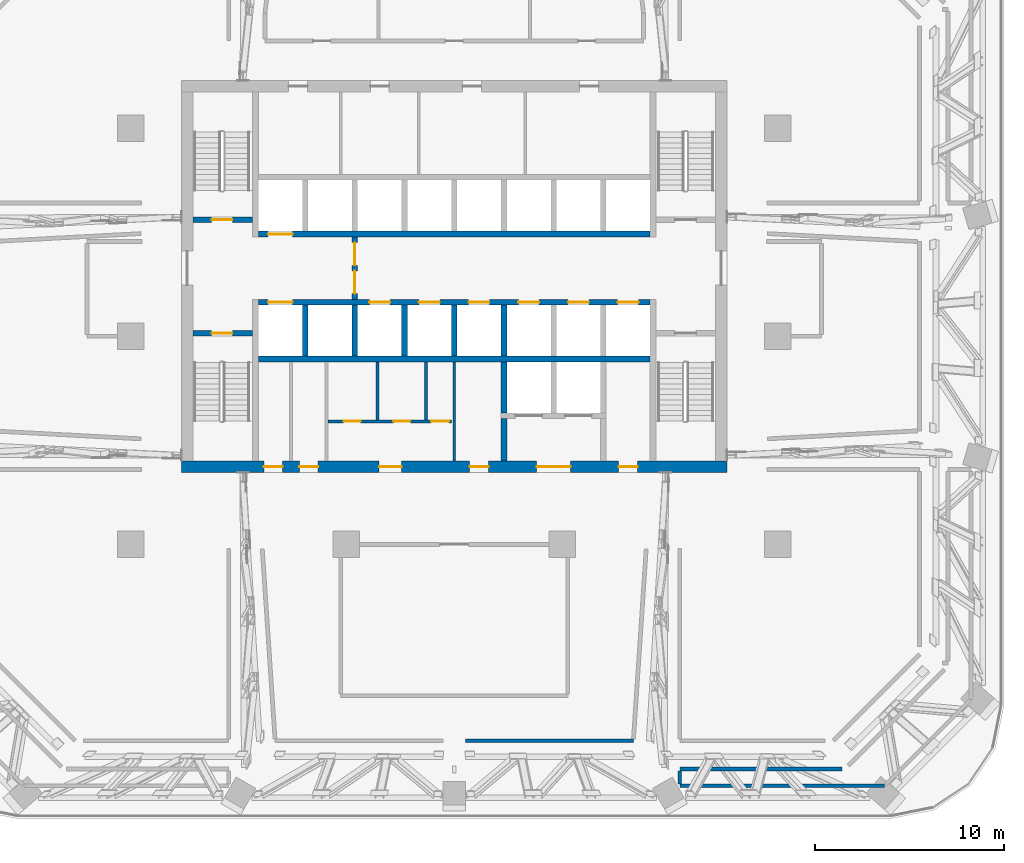
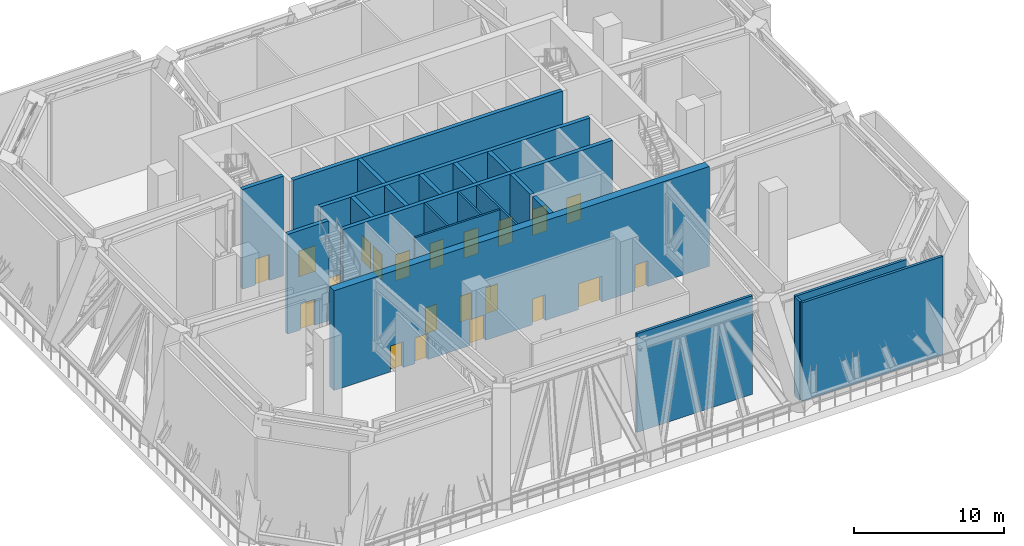
# One storey, part 6 of 24: 22 walls, 21 doors, 21 openings.
"""IFC4 building model written with IfcOpenShell, lengths in metres."""

import ifcopenshell
import ifcopenshell.guid

model = None  # the IFC model being written
_history = None  # IfcOwnerHistory: only IFC2X3 demands one
_inside = {}  # id of a spatial element -> (the spatial element, [elements in it])
_under = {}  # id of a project, library or spatial element -> (it, [spatial elements below it])
_declared = {}  # id of a project -> (the project, [libraries it declares])
_typed = {}  # id of a type object -> (the type object, [elements of that type])
_made_of = {}  # id of a material, layer set ... -> (it, [elements and type objects made of it])


def new_model(schema):
    """Start an empty IFC model of exactly this schema.

    Asked for "IFC4X3", IfcOpenShell would pick the latest addendum, in which some entities
    have other attributes; the version numbers below select the first issue.
    IFC2X3 requires an IfcOwnerHistory on every rooted entity: one is made here for all.
    """
    global model, _history
    if schema == "IFC4X3":
        model = ifcopenshell.file(schema_version=(4, 3, 0, 0))
    else:
        model = ifcopenshell.file(schema=schema)
    _inside.clear()
    _under.clear()
    _declared.clear()
    _typed.clear()
    _made_of.clear()
    _history = None
    if model.schema == "IFC2X3":
        org = make("IfcOrganization", Name="unknown")
        user = make(
            "IfcPersonAndOrganization",
            ThePerson=make("IfcPerson", FamilyName="unknown"),
            TheOrganization=org,
        )
        app = make(
            "IfcApplication",
            ApplicationDeveloper=org,
            Version="unknown",
            ApplicationFullName="unknown",
            ApplicationIdentifier="unknown",
        )
        _history = make(
            "IfcOwnerHistory",
            OwningUser=user,
            OwningApplication=app,
            ChangeAction="ADDED",
            CreationDate=0,
        )
    return model


def make(cls, **values):
    """One entity of the class cls with the attributes given. An attribute that is None is left unset."""
    return model.create_entity(
        cls, **{name: value for name, value in values.items() if value is not None}
    )


def rooted(cls, **values):
    """An entity with a GlobalId (a new one), such as an element, a storey or a relation."""
    return make(cls, GlobalId=ifcopenshell.guid.new(), OwnerHistory=_history, **values)


def si_unit(unit_type, name, prefix=None):
    """IfcSIUnit, for example si_unit("LENGTHUNIT", "METRE", prefix="MILLI")."""
    return make("IfcSIUnit", UnitType=unit_type, Prefix=prefix, Name=name)


def assignment(units):
    """IfcUnitAssignment: the units of a project."""
    return None if units is None else make("IfcUnitAssignment", Units=units)


def point(xyz):
    """IfcCartesianPoint."""
    return None if xyz is None else make("IfcCartesianPoint", Coordinates=xyz)


def direction(xyz):
    """IfcDirection."""
    return None if xyz is None else make("IfcDirection", DirectionRatios=xyz)


def frame(location, z_axis=None, x_axis=None):
    """IfcAxis2Placement3D, a coordinate frame: its origin and axes. An axis left out is left unset."""
    return make(
        "IfcAxis2Placement3D",
        Location=point(location),
        Axis=direction(z_axis),
        RefDirection=direction(x_axis),
    )


def frame_2d(location, x_axis=None):
    """IfcAxis2Placement2D, a coordinate frame in the plane: its origin and x axis."""
    return make(
        "IfcAxis2Placement2D", Location=point(location), RefDirection=direction(x_axis)
    )


def origin():
    """The frame at (0, 0, 0) with its axes left unset."""
    return frame((0.0, 0.0, 0.0))


def place(relative_to, where):
    """IfcLocalPlacement: puts the frame where relative to a parent placement (None: the world)."""
    return make(
        "IfcLocalPlacement", PlacementRelTo=relative_to, RelativePlacement=where
    )


def context(
    kind, dimensions, precision=None, world=None, true_north=None, identifier=None
):
    """IfcGeometricRepresentationContext, for example the 3D "Model" context."""
    return make(
        "IfcGeometricRepresentationContext",
        ContextIdentifier=identifier,
        ContextType=kind,
        CoordinateSpaceDimension=dimensions,
        Precision=precision,
        WorldCoordinateSystem=world,
        TrueNorth=true_north,
    )


def subcontext(parent, identifier, kind, view, scale=None):
    """IfcGeometricRepresentationSubContext, for example "Body" below "Model"."""
    return make(
        "IfcGeometricRepresentationSubContext",
        ContextIdentifier=identifier,
        ContextType=kind,
        ParentContext=parent,
        TargetScale=scale,
        TargetView=view,
    )


def project(units=None, contexts=None):
    """IfcProject with its units and contexts."""
    return rooted(
        "IfcProject",
        Name="project",
        RepresentationContexts=contexts,
        UnitsInContext=assignment(units),
    )


def spatial(cls, under=None, at=None, **own):
    """A site, building, storey or space (cls), placed at a placement, below another one or the project."""
    s = rooted(cls, ObjectPlacement=at, **own)
    if under is not None:
        _under.setdefault(under.id(), (under, []))[1].append(s)
    return s


def profile(cls, at=None, kind="AREA", **sizes):
    """A parametric profile (cls). Its sizes go by their IFC names, for example OverallWidth=200.0."""
    return make(cls, ProfileType=kind, Position=at, **sizes)


def rectangle(**sizes):
    """IfcRectangleProfileDef."""
    return profile("IfcRectangleProfileDef", **sizes)


def extrude(swept, where, along, depth):
    """IfcExtrudedAreaSolid: the profile swept, set in the frame where, extruded along a direction by depth."""
    return make(
        "IfcExtrudedAreaSolid",
        SweptArea=swept,
        Position=where,
        ExtrudedDirection=direction(along),
        Depth=depth,
    )


def shape(context_of_items, identifier, shape_type, items):
    """IfcShapeRepresentation: the items that make up one representation, for example the "Body"."""
    return make(
        "IfcShapeRepresentation",
        ContextOfItems=context_of_items,
        RepresentationIdentifier=identifier,
        RepresentationType=shape_type,
        Items=items,
    )


def material(Name=None, Category=None):
    """IfcMaterial."""
    return make("IfcMaterial", Name=Name, Category=Category)


def layer(
    of_material, thickness, ventilated=None, Name=None, Category=None, Priority=None
):
    """IfcMaterialLayer: one layer of a wall or slab, of a material (None: an air gap)."""
    return make(
        "IfcMaterialLayer",
        Material=of_material,
        LayerThickness=thickness,
        IsVentilated=ventilated,
        Name=Name,
        Category=Category,
        Priority=Priority,
    )


def layer_set(layers, Name=None):
    """IfcMaterialLayerSet."""
    return make("IfcMaterialLayerSet", MaterialLayers=layers, LayerSetName=Name)


def made_of(thing, what):
    """Note that an element or type object is made of a material, layer set ...; save() writes the relation."""
    if what is not None:
        _made_of.setdefault(what.id(), (what, []))[1].append(thing)
    return thing


def type_object(cls, material=None, **own):
    """A type object (cls), such as IfcWallType, which elements share."""
    return made_of(rooted(cls, **own), material)


def element(
    cls,
    number,
    at=None,
    inside=None,
    cuts=None,
    type_object=None,
    material=None,
    context=None,
    identifier="Body",
    shape_type=None,
    held_by="IfcProductDefinitionShape",
    body=None,
    shapes=None,
    **own,
):
    """One element of the class cls, such as IfcWall. Its Tag is "e" and its number.

    at: its placement. inside: the storey or other place that contains it. cuts: it is an
    opening in that element (IfcRelVoidsElement). A single representation is given by context,
    identifier, shape_type and body (its items); several are given by shapes. held_by: the class
    of the entity that holds the representations. save() writes the other relations.
    """
    e = rooted(cls, Tag="e%d" % number, ObjectPlacement=at, **own)
    if body is not None:
        shapes = [shape(context, identifier, shape_type, body)]
    if shapes is not None:
        e.Representation = make(held_by, Representations=shapes)
    if inside is not None:
        _inside.setdefault(inside.id(), (inside, []))[1].append(e)
    if cuts is not None:
        rooted(
            "IfcRelVoidsElement", RelatingBuildingElement=cuts, RelatedOpeningElement=e
        )
    if type_object is not None:
        _typed.setdefault(type_object.id(), (type_object, []))[1].append(e)
    return made_of(e, material)


def fill(opening, filler):
    """IfcRelFillsElement: the door or window that sits in an opening."""
    return rooted(
        "IfcRelFillsElement",
        RelatingOpeningElement=opening,
        RelatedBuildingElement=filler,
    )


def aggregate(whole, parts):
    """IfcRelAggregates: a whole, such as a stair, and the parts it consists of."""
    return rooted("IfcRelAggregates", RelatingObject=whole, RelatedObjects=parts)


def save(model, path):
    """Write the relations noted so far, then the file.

    IfcRelAggregates (storeys below a building ...), IfcRelContainedInSpatialStructure (elements
    in a storey), IfcRelDefinesByType, IfcRelAssociatesMaterial and IfcRelDeclares: one each for
    every whole, place, type object, material and project.
    """
    for whole, parts in _under.values():
        aggregate(whole, parts)
    for where, things in _inside.values():
        rooted(
            "IfcRelContainedInSpatialStructure",
            RelatedElements=things,
            RelatingStructure=where,
        )
    for kind, things in _typed.values():
        rooted("IfcRelDefinesByType", RelatedObjects=things, RelatingType=kind)
    for what, things in _made_of.values():
        rooted("IfcRelAssociatesMaterial", RelatedObjects=things, RelatingMaterial=what)
    for by, libraries in _declared.values():
        rooted("IfcRelDeclares", RelatingContext=by, RelatedDefinitions=libraries)
    model.write(path)


model = new_model("IFC4")

# Units and contexts
model_context = context("Model", 3, precision=1e-05, world=origin(), true_north=direction((0.0, 1.0)))
body_context = subcontext(model_context, "Body", "Model", "MODEL_VIEW")
ifc_project = project(units=[si_unit("LENGTHUNIT", "METRE"), si_unit("AREAUNIT", "SQUARE_METRE"), si_unit("VOLUMEUNIT", "CUBIC_METRE"), si_unit("PLANEANGLEUNIT", "RADIAN"), si_unit("MASSUNIT", "GRAM", prefix="KILO")], contexts=[model_context])

# Site, building, storey
site_placement = place(None, origin())
site = spatial("IfcSite", under=ifc_project, at=site_placement, CompositionType="ELEMENT")
building_placement = place(site_placement, origin())
building = spatial("IfcBuilding", under=site, at=building_placement, Name="Mopane Tessera Tower", CompositionType="ELEMENT")
storey_placement = place(building_placement, frame((0.0, 0.0, 148.60009765625)))
storey = spatial("IfcBuildingStorey", under=building, at=storey_placement, Name="L30", CompositionType="ELEMENT", Elevation=148.60009765625)

# Wall, openings, doors
ifc_material_1 = material(Name="Fire-rated gypsum board partition")
ifc_layer_1 = layer(ifc_material_1, 0.14990234375)
ifc_layer_set_1 = layer_set([ifc_layer_1], Name="Fire-rated gypsum board partition")
wall_type_1 = type_object("IfcWallType", Name="Core room partition 150 mm", PredefinedType="PARTITIONING", material=ifc_layer_set_1)
wall_1_placement = place(storey_placement, frame((-6.675048828125, -4.5, 0.0), z_axis=(0.0, 0.0, 1.0), x_axis=(1.0, 0.0, 0.0)))
wall_1 = element("IfcWall", 1, at=wall_1_placement, inside=storey, type_object=wall_type_1, Name="L30 WC partition", PredefinedType="PARTITIONING", context=body_context, shape_type="SweptSolid", body=[
    extrude(rectangle(XDim=6.525146484375, YDim=0.14990234375, at=frame_2d((3.2626953125, 0.0))), origin(), (0.0, 0.0, 1.0), 8.099853515625),
])
opening_1_placement = place(wall_1_placement, frame((0.824951171875, 0.0, 0.0)))
opening_1 = element("IfcOpeningElement", 2, at=opening_1_placement, cuts=wall_1, Name="Opening WD1", PredefinedType="OPENING", context=body_context, shape_type="SweptSolid", body=[
    extrude(rectangle(XDim=0.89990234375, YDim=2.10009765625, at=frame_2d((0.449951171875, 1.050048828125))), frame((0.0, 0.0869140625, 0.0), z_axis=(0.0, -1.0, 0.0), x_axis=(1.0, 0.0, 0.0)), (0.0, 0.0, 1.0), 0.173828125),
])
opening_2_placement = place(wall_1_placement, frame((3.45751953125, 0.0, 0.0)))
opening_2 = element("IfcOpeningElement", 3, at=opening_2_placement, cuts=wall_1, Name="Opening WD1", PredefinedType="OPENING", context=body_context, shape_type="SweptSolid", body=[
    extrude(rectangle(XDim=0.89990234375, YDim=2.10009765625, at=frame_2d((0.449951171875, 1.050048828125))), frame((0.0, 0.0869140625, 0.0), z_axis=(0.0, -1.0, 0.0), x_axis=(1.0, 0.0, 0.0)), (0.0, 0.0, 1.0), 0.173828125),
])
opening_3_placement = place(wall_1_placement, frame((5.45751953125, 0.0, 0.0)))
opening_3 = element("IfcOpeningElement", 4, at=opening_3_placement, cuts=wall_1, Name="Opening WD2", PredefinedType="OPENING", context=body_context, shape_type="SweptSolid", body=[
    extrude(rectangle(XDim=0.949951171875, YDim=2.10009765625, at=frame_2d((0.47509765625, 1.050048828125))), frame((0.0, 0.0869140625, 0.0), z_axis=(0.0, -1.0, 0.0), x_axis=(1.0, 0.0, 0.0)), (0.0, 0.0, 1.0), 0.173828125),
])
ifc_material_2 = material(Name="Timber door", Category="wood")
door_type_1 = type_object("IfcDoorType", Name="Accessible WC door 950 x 2100", OperationType="SINGLE_SWING_LEFT", PredefinedType="DOOR", material=ifc_material_2)
door_1_placement = place(opening_3_placement, origin())
door_1 = element("IfcDoor", 5, at=door_1_placement, inside=storey, type_object=door_type_1, Name="L30 Accessible WC door", OperationType="SINGLE_SWING_LEFT", OverallHeight=2.10009765625, OverallWidth=0.949951171875, PredefinedType="DOOR", context=body_context, shape_type="SweptSolid", body=[
    extrude(rectangle(XDim=0.949951171875, YDim=2.10009765625, at=frame_2d((0.47509765625, 1.050048828125))), frame((0.0, 0.02490234375, 0.0), z_axis=(0.0, -1.0, 0.0), x_axis=(1.0, 0.0, 0.0)), (0.0, 0.0, 1.0), 0.050048828125),
])
fill(opening_3, door_1)
ifc_material_3 = material(Name="Timber door", Category="wood")
door_type_2 = type_object("IfcDoorType", Name="WC cubicle door 900 x 2100", OperationType="SINGLE_SWING_LEFT", PredefinedType="DOOR", material=ifc_material_3)
door_2_placement = place(opening_1_placement, origin())
door_2 = element("IfcDoor", 6, at=door_2_placement, inside=storey, type_object=door_type_2, Name="L30 Men's WC door", OperationType="SINGLE_SWING_LEFT", OverallHeight=2.10009765625, OverallWidth=0.89990234375, PredefinedType="DOOR", context=body_context, shape_type="SweptSolid", body=[
    extrude(rectangle(XDim=0.89990234375, YDim=2.10009765625, at=frame_2d((0.449951171875, 1.050048828125))), frame((0.0, 0.02490234375, 0.0), z_axis=(0.0, -1.0, 0.0), x_axis=(1.0, 0.0, 0.0)), (0.0, 0.0, 1.0), 0.050048828125),
])
fill(opening_1, door_2)
door_3_placement = place(opening_2_placement, origin())
door_3 = element("IfcDoor", 7, at=door_3_placement, inside=storey, type_object=door_type_2, Name="L30 Women's WC door", OperationType="SINGLE_SWING_LEFT", OverallHeight=2.10009765625, OverallWidth=0.89990234375, PredefinedType="DOOR", context=body_context, shape_type="SweptSolid", body=[
    extrude(rectangle(XDim=0.89990234375, YDim=2.10009765625, at=frame_2d((0.449951171875, 1.050048828125))), frame((0.0, 0.02490234375, 0.0), z_axis=(0.0, -1.0, 0.0), x_axis=(1.0, 0.0, 0.0)), (0.0, 0.0, 1.0), 0.050048828125),
])
fill(opening_2, door_3)

# Walls
for number, where, z_axis, x_axis, name in (
    (8, (-4.050048828125, -4.425048828125, 0.0), (0.0, 0.0, 1.0), (0.0, 1.0, 0.0), "L30 WC partition"),
    (9, (-1.485107421875, -4.425048828125, 0.0), (0.0, 0.0, 1.0), (0.0, 1.0, 0.0), "L30 WC partition"),
):
    element("IfcWall", number, at=place(storey_placement, frame(where, z_axis=z_axis, x_axis=x_axis)), inside=storey, type_object=wall_type_1, Name=name, PredefinedType="PARTITIONING", context=body_context, shape_type="SweptSolid", body=[
        extrude(rectangle(XDim=3.074951171875, YDim=0.14990234375, at=frame_2d((1.53759765625, 0.0))), origin(), (0.0, 0.0, 1.0), 8.099853515625),
    ])
wall_2_placement = place(storey_placement, frame((0.0, -6.60009765625, 0.0), z_axis=(0.0, 0.0, 1.0), x_axis=(0.0, 1.0, 0.0)))
element("IfcWall", 10, at=wall_2_placement, inside=storey, type_object=wall_type_1, Name="L30 Room partition", PredefinedType="PARTITIONING", context=body_context, shape_type="SweptSolid", body=[
    extrude(rectangle(XDim=5.25, YDim=0.14990234375, at=frame_2d((2.625, 0.0))), origin(), (0.0, 0.0, 1.0), 8.099853515625),
])

# Wall, openings, doors
ifc_material_4 = material(Name="Concrete C70/85", Category="concrete")
ifc_layer_2 = layer(ifc_material_4, 0.60009765625)
ifc_layer_set_2 = layer_set([ifc_layer_2], Name="Concrete C70/85")
wall_type_2 = type_object("IfcWallType", Name="Core shear wall 600 mm", PredefinedType="SHEAR", material=ifc_layer_set_2)
wall_3_placement = place(storey_placement, frame((-14.39990234375, -6.89990234375, 0.0), z_axis=(0.0, 0.0, 1.0), x_axis=(1.0, 0.0, 0.0)))
wall_3 = element("IfcWall", 11, at=wall_3_placement, inside=storey, type_object=wall_type_2, Name="L30 Core wall south", PredefinedType="SHEAR", context=body_context, shape_type="SweptSolid", body=[
    extrude(rectangle(XDim=28.7998046875, YDim=0.60009765625, at=frame_2d((14.39990234375, 0.0))), origin(), (0.0, 0.0, 1.0), 8.099853515625),
])
opening_4_placement = place(wall_3_placement, frame((4.33740234375, 0.0, 0.0)))
opening_4 = element("IfcOpeningElement", 12, at=opening_4_placement, cuts=wall_3, Name="Opening RD1", PredefinedType="OPENING", context=body_context, shape_type="SweptSolid", body=[
    extrude(rectangle(XDim=1.0, YDim=2.10009765625, at=frame_2d((0.5, 1.050048828125))), frame((0.0, 0.31201171875, 0.0), z_axis=(0.0, -1.0, 0.0), x_axis=(1.0, 0.0, 0.0)), (0.0, 0.0, 1.0), 0.6240234375),
])
opening_5_placement = place(wall_3_placement, frame((6.21240234375, 0.0, 0.0)))
opening_5 = element("IfcOpeningElement", 13, at=opening_5_placement, cuts=wall_3, Name="Opening RD1", PredefinedType="OPENING", context=body_context, shape_type="SweptSolid", body=[
    extrude(rectangle(XDim=1.0, YDim=2.10009765625, at=frame_2d((0.5, 1.050048828125))), frame((0.0, 0.31201171875, 0.0), z_axis=(0.0, -1.0, 0.0), x_axis=(1.0, 0.0, 0.0)), (0.0, 0.0, 1.0), 0.6240234375),
])
opening_6_placement = place(wall_3_placement, frame((10.425048828125, 0.0, 0.0)))
opening_6 = element("IfcOpeningElement", 14, at=opening_6_placement, cuts=wall_3, Name="Opening WD3", PredefinedType="OPENING", context=body_context, shape_type="SweptSolid", body=[
    extrude(rectangle(XDim=1.199951171875, YDim=2.10009765625, at=frame_2d((0.60009765625, 1.050048828125))), frame((0.0, 0.31201171875, 0.0), z_axis=(0.0, -1.0, 0.0), x_axis=(1.0, 0.0, 0.0)), (0.0, 0.0, 1.0), 0.6240234375),
])
opening_7_placement = place(wall_3_placement, frame((15.21240234375, 0.0, 0.0)))
opening_7 = element("IfcOpeningElement", 15, at=opening_7_placement, cuts=wall_3, Name="Opening RD1", PredefinedType="OPENING", context=body_context, shape_type="SweptSolid", body=[
    extrude(rectangle(XDim=1.0, YDim=2.10009765625, at=frame_2d((0.5, 1.050048828125))), frame((0.0, 0.31201171875, 0.0), z_axis=(0.0, -1.0, 0.0), x_axis=(1.0, 0.0, 0.0)), (0.0, 0.0, 1.0), 0.6240234375),
])
opening_8_placement = place(wall_3_placement, frame((18.75, 0.0, 0.0)))
opening_8 = element("IfcOpeningElement", 16, at=opening_8_placement, cuts=wall_3, Name="Opening SD2", PredefinedType="OPENING", context=body_context, shape_type="SweptSolid", body=[
    extrude(rectangle(XDim=1.800048828125, YDim=2.10009765625, at=frame_2d((0.89990234375, 1.050048828125))), frame((0.0, 0.31201171875, 0.0), z_axis=(0.0, -1.0, 0.0), x_axis=(1.0, 0.0, 0.0)), (0.0, 0.0, 1.0), 0.6240234375),
])
opening_9_placement = place(wall_3_placement, frame((23.08740234375, 0.0, 0.0)))
opening_9 = element("IfcOpeningElement", 17, at=opening_9_placement, cuts=wall_3, Name="Opening RD1", PredefinedType="OPENING", context=body_context, shape_type="SweptSolid", body=[
    extrude(rectangle(XDim=1.0, YDim=2.10009765625, at=frame_2d((0.5, 1.050048828125))), frame((0.0, 0.31201171875, 0.0), z_axis=(0.0, -1.0, 0.0), x_axis=(1.0, 0.0, 0.0)), (0.0, 0.0, 1.0), 0.6240234375),
])
ifc_material_5 = material(Name="Steel fire door", Category="steel")
door_type_3 = type_object("IfcDoorType", Name="Core entrance double door 1800 x 2100", OperationType="DOUBLE_DOOR_SINGLE_SWING", PredefinedType="DOOR", material=ifc_material_5)
door_4_placement = place(opening_8_placement, origin())
door_4 = element("IfcDoor", 18, at=door_4_placement, inside=storey, type_object=door_type_3, Name="L30 Service lobby door", OperationType="DOUBLE_DOOR_SINGLE_SWING", OverallHeight=2.10009765625, OverallWidth=1.800048828125, PredefinedType="DOOR", context=body_context, shape_type="SweptSolid", body=[
    extrude(rectangle(XDim=1.800048828125, YDim=2.10009765625, at=frame_2d((0.89990234375, 1.050048828125))), frame((0.0, 0.02490234375, 0.0), z_axis=(0.0, -1.0, 0.0), x_axis=(1.0, 0.0, 0.0)), (0.0, 0.0, 1.0), 0.050048828125),
])
fill(opening_8, door_4)
ifc_material_6 = material(Name="Timber door", Category="wood")
door_type_4 = type_object("IfcDoorType", Name="Core room door 1000 x 2100", OperationType="SINGLE_SWING_LEFT", PredefinedType="DOOR", material=ifc_material_6)
door_5_placement = place(opening_4_placement, origin())
door_5 = element("IfcDoor", 19, at=door_5_placement, inside=storey, type_object=door_type_4, Name="L30 Room door", OperationType="SINGLE_SWING_LEFT", OverallHeight=2.10009765625, OverallWidth=1.0, PredefinedType="DOOR", context=body_context, shape_type="SweptSolid", body=[
    extrude(rectangle(XDim=1.0, YDim=2.10009765625, at=frame_2d((0.5, 1.050048828125))), frame((0.0, 0.02490234375, 0.0), z_axis=(0.0, -1.0, 0.0), x_axis=(1.0, 0.0, 0.0)), (0.0, 0.0, 1.0), 0.050048828125),
])
fill(opening_4, door_5)
door_6_placement = place(opening_5_placement, origin())
door_6 = element("IfcDoor", 20, at=door_6_placement, inside=storey, type_object=door_type_4, Name="L30 Room door", OperationType="SINGLE_SWING_LEFT", OverallHeight=2.10009765625, OverallWidth=1.0, PredefinedType="DOOR", context=body_context, shape_type="SweptSolid", body=[
    extrude(rectangle(XDim=1.0, YDim=2.10009765625, at=frame_2d((0.5, 1.050048828125))), frame((0.0, 0.02490234375, 0.0), z_axis=(0.0, -1.0, 0.0), x_axis=(1.0, 0.0, 0.0)), (0.0, 0.0, 1.0), 0.050048828125),
])
fill(opening_5, door_6)
door_7_placement = place(opening_7_placement, origin())
door_7 = element("IfcDoor", 21, at=door_7_placement, inside=storey, type_object=door_type_4, Name="L30 Room door", OperationType="SINGLE_SWING_LEFT", OverallHeight=2.10009765625, OverallWidth=1.0, PredefinedType="DOOR", context=body_context, shape_type="SweptSolid", body=[
    extrude(rectangle(XDim=1.0, YDim=2.10009765625, at=frame_2d((0.5, 1.050048828125))), frame((0.0, 0.02490234375, 0.0), z_axis=(0.0, -1.0, 0.0), x_axis=(1.0, 0.0, 0.0)), (0.0, 0.0, 1.0), 0.050048828125),
])
fill(opening_7, door_7)
door_8_placement = place(opening_9_placement, origin())
door_8 = element("IfcDoor", 22, at=door_8_placement, inside=storey, type_object=door_type_4, Name="L30 Room door", OperationType="SINGLE_SWING_LEFT", OverallHeight=2.10009765625, OverallWidth=1.0, PredefinedType="DOOR", context=body_context, shape_type="SweptSolid", body=[
    extrude(rectangle(XDim=1.0, YDim=2.10009765625, at=frame_2d((0.5, 1.050048828125))), frame((0.0, 0.02490234375, 0.0), z_axis=(0.0, -1.0, 0.0), x_axis=(1.0, 0.0, 0.0)), (0.0, 0.0, 1.0), 0.050048828125),
])
fill(opening_9, door_8)
ifc_material_7 = material(Name="Timber door", Category="wood")
door_type_5 = type_object("IfcDoorType", Name="WC lobby door 1200 x 2100", OperationType="SINGLE_SWING_LEFT", PredefinedType="DOOR", material=ifc_material_7)
door_9_placement = place(opening_6_placement, origin())
door_9 = element("IfcDoor", 23, at=door_9_placement, inside=storey, type_object=door_type_5, Name="L30 WC lobby door", OperationType="SINGLE_SWING_LEFT", OverallHeight=2.10009765625, OverallWidth=1.199951171875, PredefinedType="DOOR", context=body_context, shape_type="SweptSolid", body=[
    extrude(rectangle(XDim=1.199951171875, YDim=2.10009765625, at=frame_2d((0.60009765625, 1.050048828125))), frame((0.0, 0.02490234375, 0.0), z_axis=(0.0, -1.0, 0.0), x_axis=(1.0, 0.0, 0.0)), (0.0, 0.0, 1.0), 0.050048828125),
])
fill(opening_6, door_9)

# Walls
ifc_material_8 = material(Name="Gypsum board on steel studs, two layers each face, mineral wool infill", Category="steel")
ifc_layer_3 = layer(ifc_material_8, 0.199951171875)
ifc_layer_set_3 = layer_set([ifc_layer_3], Name="Gypsum board on steel studs, two layers each face, mineral wool infill")
wall_type_3 = type_object("IfcWallType", Name="Gypsum board corridor wall 200, rated EI 60", PredefinedType="PARTITIONING", material=ifc_layer_set_3)
wall_4_placement = place(storey_placement, frame((11.919921875, -23.75, 0.0), z_axis=(0.0, 0.0, 1.0), x_axis=(1.0, 0.0, 0.0)))
element("IfcWall", 24, at=wall_4_placement, inside=storey, type_object=wall_type_3, Name="Partition L30:001", PredefinedType="PARTITIONING", context=body_context, shape_type="SweptSolid", body=[
    extrude(rectangle(XDim=10.820068359375, YDim=0.199951171875, at=frame_2d((5.41015625, 0.0))), origin(), (0.0, 0.0, 1.0), 8.0),
])
wall_5_placement = place(storey_placement, frame((11.919921875, -22.8701171875, 0.0), z_axis=(0.0, 0.0, 1.0), x_axis=(1.0, 0.0, 0.0)))
element("IfcWall", 25, at=wall_5_placement, inside=storey, type_object=wall_type_3, Name="Partition L30:003", PredefinedType="PARTITIONING", context=body_context, shape_type="SweptSolid", body=[
    extrude(rectangle(XDim=8.565185546875, YDim=0.199951171875, at=frame_2d((4.28271484375, 0.0))), origin(), (0.0, 0.0, 1.0), 8.0),
])
wall_6_placement = place(storey_placement, frame((0.60009765625, -21.3701171875, 0.0), z_axis=(0.0, 0.0, 1.0), x_axis=(1.0, 0.0, 0.0)))
element("IfcWall", 26, at=wall_6_placement, inside=storey, type_object=wall_type_3, Name="Partition L30:006", PredefinedType="PARTITIONING", context=body_context, shape_type="SweptSolid", body=[
    extrude(rectangle(XDim=8.864990234375, YDim=0.199951171875, at=frame_2d((4.4326171875, 0.0))), origin(), (0.0, 0.0, 1.0), 8.0),
])
wall_7_placement = place(storey_placement, frame((11.919921875, -23.64990234375, 0.0), z_axis=(0.0, 0.0, 1.0), x_axis=(0.0, 1.0, 0.0)))
element("IfcWall", 27, at=wall_7_placement, inside=storey, type_object=wall_type_3, Name="Partition L30:054", PredefinedType="PARTITIONING", context=body_context, shape_type="SweptSolid", body=[
    extrude(rectangle(XDim=0.679931640625, YDim=0.199951171875, at=frame_2d((0.33984375, 0.0))), origin(), (0.0, 0.0, 1.0), 8.0),
])

# Wall, opening, door
ifc_material_9 = material(Name="Concrete C50/60", Category="concrete")
ifc_layer_4 = layer(ifc_material_9, 0.300048828125)
ifc_layer_set_4 = layer_set([ifc_layer_4], Name="Concrete C50/60")
wall_type_4 = type_object("IfcWallType", Name="Lift and stair shaft wall 300 mm", PredefinedType="SOLIDWALL", material=ifc_layer_set_4)
wall_8_placement = place(storey_placement, frame((-13.800048828125, 0.14990234375, 0.0), z_axis=(0.0, 0.0, 1.0), x_axis=(1.0, 0.0, 0.0)))
wall_8 = element("IfcWall", 28, at=wall_8_placement, inside=storey, type_object=wall_type_4, Name="L30 Stair enclosure wall", PredefinedType="SOLIDWALL", context=body_context, shape_type="SweptSolid", body=[
    extrude(rectangle(XDim=3.150146484375, YDim=0.300048828125, at=frame_2d((1.5751953125, 0.0))), origin(), (0.0, 0.0, 1.0), 8.099853515625),
])
opening_10_placement = place(wall_8_placement, frame((0.97509765625, 0.0, 0.0)))
opening_10 = element("IfcOpeningElement", 29, at=opening_10_placement, cuts=wall_8, Name="Opening SD1", PredefinedType="OPENING", context=body_context, shape_type="SweptSolid", body=[
    extrude(rectangle(XDim=1.10009765625, YDim=2.10009765625, at=frame_2d((0.550048828125, 1.050048828125))), frame((0.0, 0.162109375, 0.0), z_axis=(0.0, -1.0, 0.0), x_axis=(1.0, 0.0, 0.0)), (0.0, 0.0, 1.0), 0.323974609375),
])
ifc_material_10 = material(Name="Steel fire door", Category="steel")
door_type_6 = type_object("IfcDoorType", Name="Stair fire door 1100 x 2100", OperationType="SINGLE_SWING_LEFT", PredefinedType="DOOR", material=ifc_material_10)
door_10_placement = place(opening_10_placement, origin())
door_10 = element("IfcDoor", 30, at=door_10_placement, inside=storey, type_object=door_type_6, Name="L30 Stair door ST1", OperationType="SINGLE_SWING_LEFT", OverallHeight=2.10009765625, OverallWidth=1.10009765625, PredefinedType="DOOR", context=body_context, shape_type="SweptSolid", body=[
    extrude(rectangle(XDim=1.10009765625, YDim=2.10009765625, at=frame_2d((0.550048828125, 1.050048828125))), frame((0.0, 0.02490234375, 0.0), z_axis=(0.0, -1.0, 0.0), x_axis=(1.0, 0.0, 0.0)), (0.0, 0.0, 1.0), 0.050048828125),
])
fill(opening_10, door_10)

wall_9_placement = place(storey_placement, frame((-13.800048828125, 6.14990234375, 0.0), z_axis=(0.0, 0.0, 1.0), x_axis=(1.0, 0.0, 0.0)))
wall_9 = element("IfcWall", 31, at=wall_9_placement, inside=storey, type_object=wall_type_4, Name="L30 Stair enclosure wall", PredefinedType="SOLIDWALL", context=body_context, shape_type="SweptSolid", body=[
    extrude(rectangle(XDim=3.150146484375, YDim=0.300048828125, at=frame_2d((1.5751953125, 0.0))), origin(), (0.0, 0.0, 1.0), 8.099853515625),
])
opening_11_placement = place(wall_9_placement, frame((0.97509765625, 0.0, 0.0)))
opening_11 = element("IfcOpeningElement", 32, at=opening_11_placement, cuts=wall_9, Name="Opening SD1", PredefinedType="OPENING", context=body_context, shape_type="SweptSolid", body=[
    extrude(rectangle(XDim=1.10009765625, YDim=2.10009765625, at=frame_2d((0.550048828125, 1.050048828125))), frame((0.0, 0.162109375, 0.0), z_axis=(0.0, -1.0, 0.0), x_axis=(1.0, 0.0, 0.0)), (0.0, 0.0, 1.0), 0.323974609375),
])
door_11_placement = place(opening_11_placement, origin())
door_11 = element("IfcDoor", 33, at=door_11_placement, inside=storey, type_object=door_type_6, Name="L30 Stair door ST2", OperationType="SINGLE_SWING_LEFT", OverallHeight=2.10009765625, OverallWidth=1.10009765625, PredefinedType="DOOR", context=body_context, shape_type="SweptSolid", body=[
    extrude(rectangle(XDim=1.10009765625, YDim=2.10009765625, at=frame_2d((0.550048828125, 1.050048828125))), frame((0.0, 0.02490234375, 0.0), z_axis=(0.0, -1.0, 0.0), x_axis=(1.0, 0.0, 0.0)), (0.0, 0.0, 1.0), 0.050048828125),
])
fill(opening_11, door_11)

# Wall
wall_10_placement = place(storey_placement, frame((-10.35009765625, -1.199951171875, 0.0), z_axis=(0.0, 0.0, 1.0), x_axis=(1.0, 0.0, 0.0)))
element("IfcWall", 34, at=wall_10_placement, inside=storey, type_object=wall_type_4, Name="L30 Lift shaft rear wall", PredefinedType="SOLIDWALL", context=body_context, shape_type="SweptSolid", body=[
    extrude(rectangle(XDim=20.7001953125, YDim=0.300048828125, at=frame_2d((10.35009765625, 0.0))), origin(), (0.0, 0.0, 1.0), 8.099853515625),
])

# Wall, openings, doors
wall_11_placement = place(storey_placement, frame((-10.35009765625, 1.800048828125, 0.0), z_axis=(0.0, 0.0, 1.0), x_axis=(1.0, 0.0, 0.0)))
wall_11 = element("IfcWall", 35, at=wall_11_placement, inside=storey, type_object=wall_type_4, Name="L30 Lift shaft front wall", PredefinedType="SOLIDWALL", context=body_context, shape_type="SweptSolid", body=[
    extrude(rectangle(XDim=20.7001953125, YDim=0.300048828125, at=frame_2d((10.35009765625, 0.0))), origin(), (0.0, 0.0, 1.0), 8.099853515625),
])
opening_12_placement = place(wall_11_placement, frame((0.512451171875, 0.0, 0.0)))
opening_12 = element("IfcOpeningElement", 36, at=opening_12_placement, cuts=wall_11, Name="Opening LD2", PredefinedType="OPENING", context=body_context, shape_type="SweptSolid", body=[
    extrude(rectangle(XDim=1.300048828125, YDim=2.10009765625, at=frame_2d((0.64990234375, 1.050048828125))), frame((0.0, 0.162109375, 0.0), z_axis=(0.0, -1.0, 0.0), x_axis=(1.0, 0.0, 0.0)), (0.0, 0.0, 1.0), 0.323974609375),
])
opening_13_placement = place(wall_11_placement, frame((5.862548828125, 0.0, 0.0)))
opening_13 = element("IfcOpeningElement", 37, at=opening_13_placement, cuts=wall_11, Name="Opening LD", PredefinedType="OPENING", context=body_context, shape_type="SweptSolid", body=[
    extrude(rectangle(XDim=1.10009765625, YDim=2.10009765625, at=frame_2d((0.550048828125, 1.050048828125))), frame((0.0, 0.162109375, 0.0), z_axis=(0.0, -1.0, 0.0), x_axis=(1.0, 0.0, 0.0)), (0.0, 0.0, 1.0), 0.323974609375),
])
opening_14_placement = place(wall_11_placement, frame((8.487548828125, 0.0, 0.0)))
opening_14 = element("IfcOpeningElement", 38, at=opening_14_placement, cuts=wall_11, Name="Opening LD", PredefinedType="OPENING", context=body_context, shape_type="SweptSolid", body=[
    extrude(rectangle(XDim=1.10009765625, YDim=2.10009765625, at=frame_2d((0.550048828125, 1.050048828125))), frame((0.0, 0.162109375, 0.0), z_axis=(0.0, -1.0, 0.0), x_axis=(1.0, 0.0, 0.0)), (0.0, 0.0, 1.0), 0.323974609375),
])
opening_15_placement = place(wall_11_placement, frame((11.112548828125, 0.0, 0.0)))
opening_15 = element("IfcOpeningElement", 39, at=opening_15_placement, cuts=wall_11, Name="Opening LD", PredefinedType="OPENING", context=body_context, shape_type="SweptSolid", body=[
    extrude(rectangle(XDim=1.10009765625, YDim=2.10009765625, at=frame_2d((0.550048828125, 1.050048828125))), frame((0.0, 0.162109375, 0.0), z_axis=(0.0, -1.0, 0.0), x_axis=(1.0, 0.0, 0.0)), (0.0, 0.0, 1.0), 0.323974609375),
])
opening_16_placement = place(wall_11_placement, frame((13.737548828125, 0.0, 0.0)))
opening_16 = element("IfcOpeningElement", 40, at=opening_16_placement, cuts=wall_11, Name="Opening LD", PredefinedType="OPENING", context=body_context, shape_type="SweptSolid", body=[
    extrude(rectangle(XDim=1.10009765625, YDim=2.10009765625, at=frame_2d((0.550048828125, 1.050048828125))), frame((0.0, 0.162109375, 0.0), z_axis=(0.0, -1.0, 0.0), x_axis=(1.0, 0.0, 0.0)), (0.0, 0.0, 1.0), 0.323974609375),
])
opening_17_placement = place(wall_11_placement, frame((16.362548828125, 0.0, 0.0)))
opening_17 = element("IfcOpeningElement", 41, at=opening_17_placement, cuts=wall_11, Name="Opening LD", PredefinedType="OPENING", context=body_context, shape_type="SweptSolid", body=[
    extrude(rectangle(XDim=1.10009765625, YDim=2.10009765625, at=frame_2d((0.550048828125, 1.050048828125))), frame((0.0, 0.162109375, 0.0), z_axis=(0.0, -1.0, 0.0), x_axis=(1.0, 0.0, 0.0)), (0.0, 0.0, 1.0), 0.323974609375),
])
opening_18_placement = place(wall_11_placement, frame((18.987548828125, 0.0, 0.0)))
opening_18 = element("IfcOpeningElement", 42, at=opening_18_placement, cuts=wall_11, Name="Opening LD", PredefinedType="OPENING", context=body_context, shape_type="SweptSolid", body=[
    extrude(rectangle(XDim=1.10009765625, YDim=2.10009765625, at=frame_2d((0.550048828125, 1.050048828125))), frame((0.0, 0.162109375, 0.0), z_axis=(0.0, -1.0, 0.0), x_axis=(1.0, 0.0, 0.0)), (0.0, 0.0, 1.0), 0.323974609375),
])
ifc_material_11 = material(Name="Stainless steel sliding door", Category="steel")
door_type_7 = type_object("IfcDoorType", Name="Fire-fighting lift landing door 1300 x 2100", OperationType="DOUBLE_DOOR_SLIDING", PredefinedType="DOOR", material=ifc_material_11)
door_12_placement = place(opening_12_placement, origin())
door_12 = element("IfcDoor", 43, at=door_12_placement, inside=storey, type_object=door_type_7, Name="L30 Lift landing door FF1", OperationType="DOUBLE_DOOR_SLIDING", OverallHeight=2.10009765625, OverallWidth=1.300048828125, PredefinedType="DOOR", context=body_context, shape_type="SweptSolid", body=[
    extrude(rectangle(XDim=1.300048828125, YDim=2.10009765625, at=frame_2d((0.64990234375, 1.050048828125))), frame((0.0, 0.02490234375, 0.0), z_axis=(0.0, -1.0, 0.0), x_axis=(1.0, 0.0, 0.0)), (0.0, 0.0, 1.0), 0.050048828125),
])
fill(opening_12, door_12)
ifc_material_12 = material(Name="Stainless steel sliding door", Category="steel")
door_type_8 = type_object("IfcDoorType", Name="Lift landing door 1100 x 2100", OperationType="DOUBLE_DOOR_SLIDING", PredefinedType="DOOR", material=ifc_material_12)
door_13_placement = place(opening_13_placement, origin())
door_13 = element("IfcDoor", 44, at=door_13_placement, inside=storey, type_object=door_type_8, Name="L30 Lift landing door LR1", OperationType="DOUBLE_DOOR_SLIDING", OverallHeight=2.10009765625, OverallWidth=1.10009765625, PredefinedType="DOOR", context=body_context, shape_type="SweptSolid", body=[
    extrude(rectangle(XDim=1.10009765625, YDim=2.10009765625, at=frame_2d((0.550048828125, 1.050048828125))), frame((0.0, 0.02490234375, 0.0), z_axis=(0.0, -1.0, 0.0), x_axis=(1.0, 0.0, 0.0)), (0.0, 0.0, 1.0), 0.050048828125),
])
fill(opening_13, door_13)
door_14_placement = place(opening_14_placement, origin())
door_14 = element("IfcDoor", 45, at=door_14_placement, inside=storey, type_object=door_type_8, Name="L30 Lift landing door LR2", OperationType="DOUBLE_DOOR_SLIDING", OverallHeight=2.10009765625, OverallWidth=1.10009765625, PredefinedType="DOOR", context=body_context, shape_type="SweptSolid", body=[
    extrude(rectangle(XDim=1.10009765625, YDim=2.10009765625, at=frame_2d((0.550048828125, 1.050048828125))), frame((0.0, 0.02490234375, 0.0), z_axis=(0.0, -1.0, 0.0), x_axis=(1.0, 0.0, 0.0)), (0.0, 0.0, 1.0), 0.050048828125),
])
fill(opening_14, door_14)
door_15_placement = place(opening_15_placement, origin())
door_15 = element("IfcDoor", 46, at=door_15_placement, inside=storey, type_object=door_type_8, Name="L30 Lift landing door LR3", OperationType="DOUBLE_DOOR_SLIDING", OverallHeight=2.10009765625, OverallWidth=1.10009765625, PredefinedType="DOOR", context=body_context, shape_type="SweptSolid", body=[
    extrude(rectangle(XDim=1.10009765625, YDim=2.10009765625, at=frame_2d((0.550048828125, 1.050048828125))), frame((0.0, 0.02490234375, 0.0), z_axis=(0.0, -1.0, 0.0), x_axis=(1.0, 0.0, 0.0)), (0.0, 0.0, 1.0), 0.050048828125),
])
fill(opening_15, door_15)
door_16_placement = place(opening_16_placement, origin())
door_16 = element("IfcDoor", 47, at=door_16_placement, inside=storey, type_object=door_type_8, Name="L30 Lift landing door LR4", OperationType="DOUBLE_DOOR_SLIDING", OverallHeight=2.10009765625, OverallWidth=1.10009765625, PredefinedType="DOOR", context=body_context, shape_type="SweptSolid", body=[
    extrude(rectangle(XDim=1.10009765625, YDim=2.10009765625, at=frame_2d((0.550048828125, 1.050048828125))), frame((0.0, 0.02490234375, 0.0), z_axis=(0.0, -1.0, 0.0), x_axis=(1.0, 0.0, 0.0)), (0.0, 0.0, 1.0), 0.050048828125),
])
fill(opening_16, door_16)
door_17_placement = place(opening_17_placement, origin())
door_17 = element("IfcDoor", 48, at=door_17_placement, inside=storey, type_object=door_type_8, Name="L30 Lift landing door LR5", OperationType="DOUBLE_DOOR_SLIDING", OverallHeight=2.10009765625, OverallWidth=1.10009765625, PredefinedType="DOOR", context=body_context, shape_type="SweptSolid", body=[
    extrude(rectangle(XDim=1.10009765625, YDim=2.10009765625, at=frame_2d((0.550048828125, 1.050048828125))), frame((0.0, 0.02490234375, 0.0), z_axis=(0.0, -1.0, 0.0), x_axis=(1.0, 0.0, 0.0)), (0.0, 0.0, 1.0), 0.050048828125),
])
fill(opening_17, door_17)
door_18_placement = place(opening_18_placement, origin())
door_18 = element("IfcDoor", 49, at=door_18_placement, inside=storey, type_object=door_type_8, Name="L30 Lift landing door LR6", OperationType="DOUBLE_DOOR_SLIDING", OverallHeight=2.10009765625, OverallWidth=1.10009765625, PredefinedType="DOOR", context=body_context, shape_type="SweptSolid", body=[
    extrude(rectangle(XDim=1.10009765625, YDim=2.10009765625, at=frame_2d((0.550048828125, 1.050048828125))), frame((0.0, 0.02490234375, 0.0), z_axis=(0.0, -1.0, 0.0), x_axis=(1.0, 0.0, 0.0)), (0.0, 0.0, 1.0), 0.050048828125),
])
fill(opening_18, door_18)

# Wall, opening, door
wall_12_placement = place(storey_placement, frame((-10.35009765625, 5.39990234375, 0.0), z_axis=(0.0, 0.0, 1.0), x_axis=(1.0, 0.0, 0.0)))
wall_12 = element("IfcWall", 50, at=wall_12_placement, inside=storey, type_object=wall_type_4, Name="L30 Lift shaft front wall", PredefinedType="SOLIDWALL", context=body_context, shape_type="SweptSolid", body=[
    extrude(rectangle(XDim=20.7001953125, YDim=0.300048828125, at=frame_2d((10.35009765625, 0.0))), origin(), (0.0, 0.0, 1.0), 8.099853515625),
])
opening_19_placement = place(wall_12_placement, frame((0.512451171875, 0.0, 0.0)))
opening_19 = element("IfcOpeningElement", 51, at=opening_19_placement, cuts=wall_12, Name="Opening LD2", PredefinedType="OPENING", context=body_context, shape_type="SweptSolid", body=[
    extrude(rectangle(XDim=1.300048828125, YDim=2.10009765625, at=frame_2d((0.64990234375, 1.050048828125))), frame((0.0, 0.162109375, 0.0), z_axis=(0.0, -1.0, 0.0), x_axis=(1.0, 0.0, 0.0)), (0.0, 0.0, 1.0), 0.323974609375),
])
door_19_placement = place(opening_19_placement, origin())
door_19 = element("IfcDoor", 52, at=door_19_placement, inside=storey, type_object=door_type_7, Name="L30 Lift landing door FF2", OperationType="DOUBLE_DOOR_SLIDING", OverallHeight=2.10009765625, OverallWidth=1.300048828125, PredefinedType="DOOR", context=body_context, shape_type="SweptSolid", body=[
    extrude(rectangle(XDim=1.300048828125, YDim=2.10009765625, at=frame_2d((0.64990234375, 1.050048828125))), frame((0.0, 0.02490234375, 0.0), z_axis=(0.0, -1.0, 0.0), x_axis=(1.0, 0.0, 0.0)), (0.0, 0.0, 1.0), 0.050048828125),
])
fill(opening_19, door_19)

# Walls
for number, where, z_axis, x_axis, name in (
    (53, (-7.875, -1.050048828125, 0.0), (0.0, 0.0, 1.0), (0.0, 1.0, 0.0), "L30 Lift shaft wall"),
    (54, (-5.25, -1.050048828125, 0.0), (0.0, 0.0, 1.0), (0.0, 1.0, 0.0), "L30 Lift shaft wall"),
    (55, (-2.625, -1.050048828125, 0.0), (0.0, 0.0, 1.0), (0.0, 1.0, 0.0), "L30 Lift shaft wall"),
    (56, (0.0, -1.050048828125, 0.0), (0.0, 0.0, 1.0), (0.0, 1.0, 0.0), "L30 Lift shaft wall"),
    (57, (2.625, -1.050048828125, 0.0), (0.0, 0.0, 1.0), (0.0, 1.0, 0.0), "L30 Lift shaft wall"),
    (58, (2.625, -4.050048828125, 0.0), (0.0, 0.0, 1.0), (0.0, 1.0, 0.0), "L30 Lift shaft wall"),
):
    element("IfcWall", number, at=place(storey_placement, frame(where, z_axis=z_axis, x_axis=x_axis)), inside=storey, type_object=wall_type_4, Name=name, PredefinedType="SOLIDWALL", context=body_context, shape_type="SweptSolid", body=[
        extrude(rectangle(XDim=2.699951171875, YDim=0.300048828125, at=frame_2d((1.35009765625, 0.0))), origin(), (0.0, 0.0, 1.0), 8.099853515625),
    ])

# Wall, openings, doors
ifc_material_13 = material(Name="Concrete C50/60", Category="concrete")
ifc_layer_5 = layer(ifc_material_13, 0.300048828125)
ifc_layer_set_5 = layer_set([ifc_layer_5], Name="Concrete C50/60")
wall_type_5 = type_object("IfcWallType", Name="Lobby and refuge room wall 300 mm", PredefinedType="SOLIDWALL", material=ifc_layer_set_5)
wall_13_placement = place(storey_placement, frame((-5.25, 1.949951171875, 0.0), z_axis=(0.0, 0.0, 1.0), x_axis=(0.0, 1.0, 0.0)))
wall_13 = element("IfcWall", 59, at=wall_13_placement, inside=storey, type_object=wall_type_5, Name="L30 Fire-fighting lobby wall", PredefinedType="SOLIDWALL", context=body_context, shape_type="SweptSolid", body=[
    extrude(rectangle(XDim=3.300048828125, YDim=0.300048828125, at=frame_2d((1.64990234375, 0.0))), origin(), (0.0, 0.0, 1.0), 8.099853515625),
])
opening_20_placement = place(wall_13_placement, frame((0.300048828125, 0.0, 0.0)))
opening_20 = element("IfcOpeningElement", 60, at=opening_20_placement, cuts=wall_13, Name="Opening SD3", PredefinedType="OPENING", context=body_context, shape_type="SweptSolid", body=[
    extrude(rectangle(XDim=1.199951171875, YDim=2.10009765625, at=frame_2d((0.60009765625, 1.050048828125))), frame((0.0, 0.162109375, 0.0), z_axis=(0.0, -1.0, 0.0), x_axis=(1.0, 0.0, 0.0)), (0.0, 0.0, 1.0), 0.323974609375),
])
opening_21_placement = place(wall_13_placement, frame((1.800048828125, 0.0, 0.0)))
opening_21 = element("IfcOpeningElement", 61, at=opening_21_placement, cuts=wall_13, Name="Opening SD3", PredefinedType="OPENING", context=body_context, shape_type="SweptSolid", body=[
    extrude(rectangle(XDim=1.199951171875, YDim=2.10009765625, at=frame_2d((0.60009765625, 1.050048828125))), frame((0.0, 0.162109375, 0.0), z_axis=(0.0, -1.0, 0.0), x_axis=(1.0, 0.0, 0.0)), (0.0, 0.0, 1.0), 0.323974609375),
])
ifc_material_14 = material(Name="Steel fire door", Category="steel")
door_type_9 = type_object("IfcDoorType", Name="Lobby fire door 1200 x 2100", OperationType="SINGLE_SWING_LEFT", PredefinedType="DOOR", material=ifc_material_14)
door_20_placement = place(opening_20_placement, origin())
door_20 = element("IfcDoor", 62, at=door_20_placement, inside=storey, type_object=door_type_9, Name="L30 Fire-fighting lobby door", OperationType="SINGLE_SWING_LEFT", OverallHeight=2.10009765625, OverallWidth=1.199951171875, PredefinedType="DOOR", context=body_context, shape_type="SweptSolid", body=[
    extrude(rectangle(XDim=1.199951171875, YDim=2.10009765625, at=frame_2d((0.60009765625, 1.050048828125))), frame((0.0, 0.02490234375, 0.0), z_axis=(0.0, -1.0, 0.0), x_axis=(1.0, 0.0, 0.0)), (0.0, 0.0, 1.0), 0.050048828125),
])
fill(opening_20, door_20)
door_21_placement = place(opening_21_placement, origin())
door_21 = element("IfcDoor", 63, at=door_21_placement, inside=storey, type_object=door_type_9, Name="L30 Fire-fighting lobby door", OperationType="SINGLE_SWING_RIGHT", OverallHeight=2.10009765625, OverallWidth=1.199951171875, PredefinedType="DOOR", context=body_context, shape_type="SweptSolid", body=[
    extrude(rectangle(XDim=1.199951171875, YDim=2.10009765625, at=frame_2d((0.60009765625, 1.050048828125))), frame((0.0, 0.02490234375, 0.0), z_axis=(0.0, -1.0, 0.0), x_axis=(1.0, 0.0, 0.0)), (0.0, 0.0, 1.0), 0.050048828125),
])
fill(opening_21, door_21)

# Wall
wall_14_placement = place(storey_placement, frame((2.625, -6.60009765625, 0.0), z_axis=(0.0, 0.0, 1.0), x_axis=(0.0, 1.0, 0.0)))
element("IfcWall", 64, at=wall_14_placement, inside=storey, type_object=wall_type_5, Name="L30 Service lobby wall", PredefinedType="SOLIDWALL", context=body_context, shape_type="SweptSolid", body=[
    extrude(rectangle(XDim=2.25, YDim=0.300048828125, at=frame_2d((1.125, 0.0))), origin(), (0.0, 0.0, 1.0), 8.099853515625),
])

save(model, "model.ifc")
